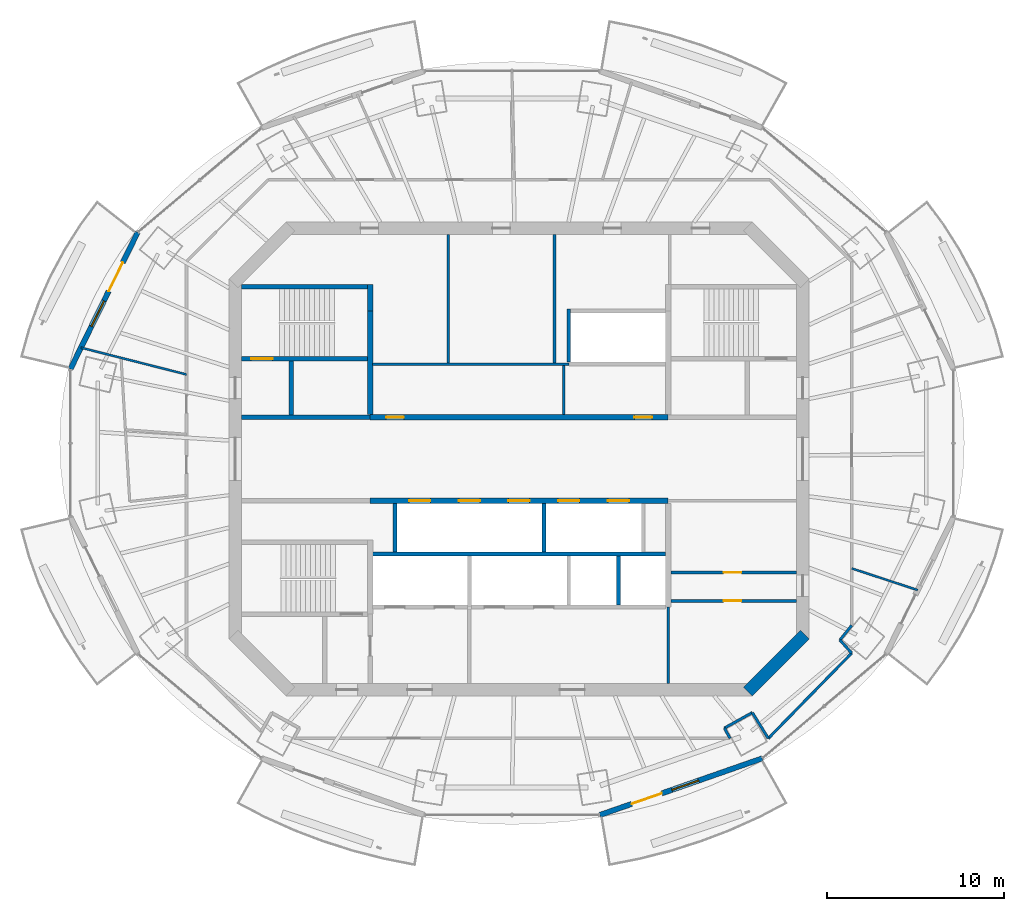
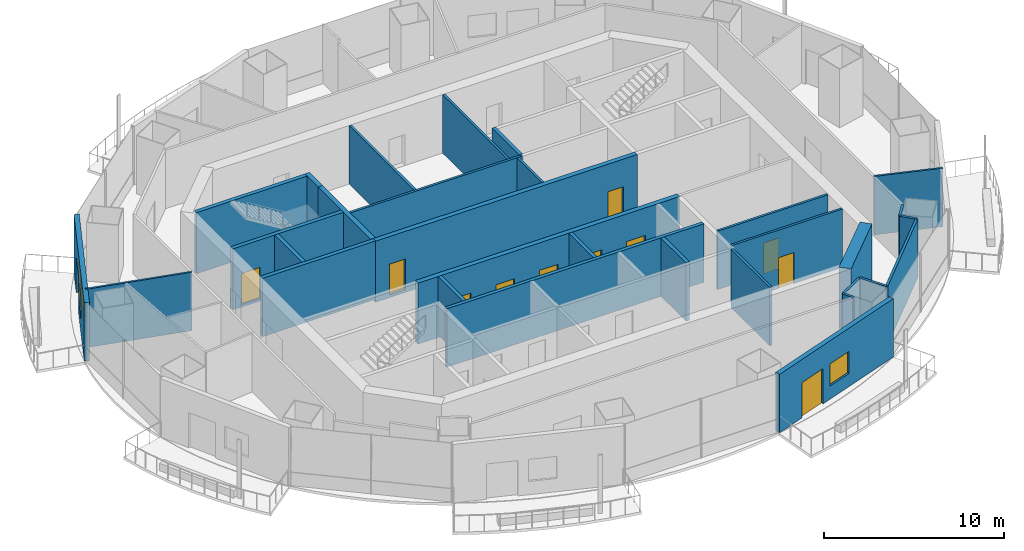
# One storey, part 9 of 15: 31 walls, 12 doors, 2 windows, 14 openings.
"""IFC4 building model written with IfcOpenShell, lengths in metres."""

import ifcopenshell
import ifcopenshell.guid

model = None  # the IFC model being written
_history = None  # IfcOwnerHistory: only IFC2X3 demands one
_inside = {}  # id of a spatial element -> (the spatial element, [elements in it])
_under = {}  # id of a project, library or spatial element -> (it, [spatial elements below it])
_declared = {}  # id of a project -> (the project, [libraries it declares])
_typed = {}  # id of a type object -> (the type object, [elements of that type])
_made_of = {}  # id of a material, layer set ... -> (it, [elements and type objects made of it])


def new_model(schema):
    """Start an empty IFC model of exactly this schema.

    Asked for "IFC4X3", IfcOpenShell would pick the latest addendum, in which some entities
    have other attributes; the version numbers below select the first issue.
    IFC2X3 requires an IfcOwnerHistory on every rooted entity: one is made here for all.
    """
    global model, _history
    if schema == "IFC4X3":
        model = ifcopenshell.file(schema_version=(4, 3, 0, 0))
    else:
        model = ifcopenshell.file(schema=schema)
    _inside.clear()
    _under.clear()
    _declared.clear()
    _typed.clear()
    _made_of.clear()
    _history = None
    if model.schema == "IFC2X3":
        org = make("IfcOrganization", Name="unknown")
        user = make(
            "IfcPersonAndOrganization",
            ThePerson=make("IfcPerson", FamilyName="unknown"),
            TheOrganization=org,
        )
        app = make(
            "IfcApplication",
            ApplicationDeveloper=org,
            Version="unknown",
            ApplicationFullName="unknown",
            ApplicationIdentifier="unknown",
        )
        _history = make(
            "IfcOwnerHistory",
            OwningUser=user,
            OwningApplication=app,
            ChangeAction="ADDED",
            CreationDate=0,
        )
    return model


def make(cls, **values):
    """One entity of the class cls with the attributes given. An attribute that is None is left unset."""
    return model.create_entity(
        cls, **{name: value for name, value in values.items() if value is not None}
    )


def rooted(cls, **values):
    """An entity with a GlobalId (a new one), such as an element, a storey or a relation."""
    return make(cls, GlobalId=ifcopenshell.guid.new(), OwnerHistory=_history, **values)


def si_unit(unit_type, name, prefix=None):
    """IfcSIUnit, for example si_unit("LENGTHUNIT", "METRE", prefix="MILLI")."""
    return make("IfcSIUnit", UnitType=unit_type, Prefix=prefix, Name=name)


def assignment(units):
    """IfcUnitAssignment: the units of a project."""
    return None if units is None else make("IfcUnitAssignment", Units=units)


def point(xyz):
    """IfcCartesianPoint."""
    return None if xyz is None else make("IfcCartesianPoint", Coordinates=xyz)


def direction(xyz):
    """IfcDirection."""
    return None if xyz is None else make("IfcDirection", DirectionRatios=xyz)


def frame(location, z_axis=None, x_axis=None):
    """IfcAxis2Placement3D, a coordinate frame: its origin and axes. An axis left out is left unset."""
    return make(
        "IfcAxis2Placement3D",
        Location=point(location),
        Axis=direction(z_axis),
        RefDirection=direction(x_axis),
    )


def frame_2d(location, x_axis=None):
    """IfcAxis2Placement2D, a coordinate frame in the plane: its origin and x axis."""
    return make(
        "IfcAxis2Placement2D", Location=point(location), RefDirection=direction(x_axis)
    )


def origin():
    """The frame at (0, 0, 0) with its axes left unset."""
    return frame((0.0, 0.0, 0.0))


def place(relative_to, where):
    """IfcLocalPlacement: puts the frame where relative to a parent placement (None: the world)."""
    return make(
        "IfcLocalPlacement", PlacementRelTo=relative_to, RelativePlacement=where
    )


def context(
    kind, dimensions, precision=None, world=None, true_north=None, identifier=None
):
    """IfcGeometricRepresentationContext, for example the 3D "Model" context."""
    return make(
        "IfcGeometricRepresentationContext",
        ContextIdentifier=identifier,
        ContextType=kind,
        CoordinateSpaceDimension=dimensions,
        Precision=precision,
        WorldCoordinateSystem=world,
        TrueNorth=true_north,
    )


def subcontext(parent, identifier, kind, view, scale=None):
    """IfcGeometricRepresentationSubContext, for example "Body" below "Model"."""
    return make(
        "IfcGeometricRepresentationSubContext",
        ContextIdentifier=identifier,
        ContextType=kind,
        ParentContext=parent,
        TargetScale=scale,
        TargetView=view,
    )


def project(units=None, contexts=None):
    """IfcProject with its units and contexts."""
    return rooted(
        "IfcProject",
        Name="project",
        RepresentationContexts=contexts,
        UnitsInContext=assignment(units),
    )


def spatial(cls, under=None, at=None, **own):
    """A site, building, storey or space (cls), placed at a placement, below another one or the project."""
    s = rooted(cls, ObjectPlacement=at, **own)
    if under is not None:
        _under.setdefault(under.id(), (under, []))[1].append(s)
    return s


def profile(cls, at=None, kind="AREA", **sizes):
    """A parametric profile (cls). Its sizes go by their IFC names, for example OverallWidth=200.0."""
    return make(cls, ProfileType=kind, Position=at, **sizes)


def rectangle(**sizes):
    """IfcRectangleProfileDef."""
    return profile("IfcRectangleProfileDef", **sizes)


def extrude(swept, where, along, depth):
    """IfcExtrudedAreaSolid: the profile swept, set in the frame where, extruded along a direction by depth."""
    return make(
        "IfcExtrudedAreaSolid",
        SweptArea=swept,
        Position=where,
        ExtrudedDirection=direction(along),
        Depth=depth,
    )


def shape(context_of_items, identifier, shape_type, items):
    """IfcShapeRepresentation: the items that make up one representation, for example the "Body"."""
    return make(
        "IfcShapeRepresentation",
        ContextOfItems=context_of_items,
        RepresentationIdentifier=identifier,
        RepresentationType=shape_type,
        Items=items,
    )


def material(Name=None, Category=None):
    """IfcMaterial."""
    return make("IfcMaterial", Name=Name, Category=Category)


def layer(
    of_material, thickness, ventilated=None, Name=None, Category=None, Priority=None
):
    """IfcMaterialLayer: one layer of a wall or slab, of a material (None: an air gap)."""
    return make(
        "IfcMaterialLayer",
        Material=of_material,
        LayerThickness=thickness,
        IsVentilated=ventilated,
        Name=Name,
        Category=Category,
        Priority=Priority,
    )


def layer_set(layers, Name=None):
    """IfcMaterialLayerSet."""
    return make("IfcMaterialLayerSet", MaterialLayers=layers, LayerSetName=Name)


def made_of(thing, what):
    """Note that an element or type object is made of a material, layer set ...; save() writes the relation."""
    if what is not None:
        _made_of.setdefault(what.id(), (what, []))[1].append(thing)
    return thing


def type_object(cls, material=None, **own):
    """A type object (cls), such as IfcWallType, which elements share."""
    return made_of(rooted(cls, **own), material)


def element(
    cls,
    number,
    at=None,
    inside=None,
    cuts=None,
    type_object=None,
    material=None,
    context=None,
    identifier="Body",
    shape_type=None,
    held_by="IfcProductDefinitionShape",
    body=None,
    shapes=None,
    **own,
):
    """One element of the class cls, such as IfcWall. Its Tag is "e" and its number.

    at: its placement. inside: the storey or other place that contains it. cuts: it is an
    opening in that element (IfcRelVoidsElement). A single representation is given by context,
    identifier, shape_type and body (its items); several are given by shapes. held_by: the class
    of the entity that holds the representations. save() writes the other relations.
    """
    e = rooted(cls, Tag="e%d" % number, ObjectPlacement=at, **own)
    if body is not None:
        shapes = [shape(context, identifier, shape_type, body)]
    if shapes is not None:
        e.Representation = make(held_by, Representations=shapes)
    if inside is not None:
        _inside.setdefault(inside.id(), (inside, []))[1].append(e)
    if cuts is not None:
        rooted(
            "IfcRelVoidsElement", RelatingBuildingElement=cuts, RelatedOpeningElement=e
        )
    if type_object is not None:
        _typed.setdefault(type_object.id(), (type_object, []))[1].append(e)
    return made_of(e, material)


def fill(opening, filler):
    """IfcRelFillsElement: the door or window that sits in an opening."""
    return rooted(
        "IfcRelFillsElement",
        RelatingOpeningElement=opening,
        RelatedBuildingElement=filler,
    )


def aggregate(whole, parts):
    """IfcRelAggregates: a whole, such as a stair, and the parts it consists of."""
    return rooted("IfcRelAggregates", RelatingObject=whole, RelatedObjects=parts)


def save(model, path):
    """Write the relations noted so far, then the file.

    IfcRelAggregates (storeys below a building ...), IfcRelContainedInSpatialStructure (elements
    in a storey), IfcRelDefinesByType, IfcRelAssociatesMaterial and IfcRelDeclares: one each for
    every whole, place, type object, material and project.
    """
    for whole, parts in _under.values():
        aggregate(whole, parts)
    for where, things in _inside.values():
        rooted(
            "IfcRelContainedInSpatialStructure",
            RelatedElements=things,
            RelatingStructure=where,
        )
    for kind, things in _typed.values():
        rooted("IfcRelDefinesByType", RelatedObjects=things, RelatingType=kind)
    for what, things in _made_of.values():
        rooted("IfcRelAssociatesMaterial", RelatedObjects=things, RelatingMaterial=what)
    for by, libraries in _declared.values():
        rooted("IfcRelDeclares", RelatingContext=by, RelatedDefinitions=libraries)
    model.write(path)


model = new_model("IFC4")

# Units and contexts
model_context = context("Model", 3, precision=1e-05, world=origin(), true_north=direction((0.0, 1.0)))
body_context = subcontext(model_context, "Body", "Model", "MODEL_VIEW")
ifc_project = project(units=[si_unit("LENGTHUNIT", "METRE"), si_unit("AREAUNIT", "SQUARE_METRE"), si_unit("VOLUMEUNIT", "CUBIC_METRE"), si_unit("PLANEANGLEUNIT", "RADIAN"), si_unit("MASSUNIT", "GRAM", prefix="KILO")], contexts=[model_context])

# Site, building, storey
site_placement = place(None, origin())
site = spatial("IfcSite", under=ifc_project, at=site_placement, CompositionType="ELEMENT")
building_placement = place(site_placement, origin())
building = spatial("IfcBuilding", under=site, at=building_placement, Name="Marenthal Gate Tower", CompositionType="ELEMENT")
storey_placement = place(building_placement, frame((0.0, 0.0, 384.10009765625)))
storey = spatial("IfcBuildingStorey", under=building, at=storey_placement, Name="L87", CompositionType="ELEMENT", Elevation=384.10009765625)

# Wall
ifc_material_1 = material(Name="Concrete 60 MPa", Category="concrete")
ifc_layer_1 = layer(ifc_material_1, 0.699951171875)
ifc_layer_set_1 = layer_set([ifc_layer_1], Name="Core shear wall 700")
wall_type_1 = type_object("IfcWallType", Name="Core shear wall 700", PredefinedType="SHEAR", material=ifc_layer_set_1)
wall_1_placement = place(storey_placement, frame((12.8974609375, -13.1025390625, -0.18017578125), z_axis=(0.0, 0.0, 1.0), x_axis=(0.707106781187, 0.707106781187, 0.0)))
element("IfcWall", 1, at=wall_1_placement, inside=storey, type_object=wall_type_1, Name="Core wall 01", PredefinedType="SHEAR", context=body_context, shape_type="SweptSolid", body=[
    extrude(rectangle(XDim=4.53271484375, YDim=0.699951171875, at=frame_2d((2.266357421875, 0.0))), origin(), (0.0, 0.0, 1.0), 4.150146484375),
])

# Wall, openings, doors
ifc_material_2 = material(Name="Concrete 50 MPa", Category="concrete")
ifc_layer_2 = layer(ifc_material_2, 0.300048828125)
ifc_layer_set_2 = layer_set([ifc_layer_2], Name="Hoistway shear wall 300")
wall_type_2 = type_object("IfcWallType", Name="Hoistway shear wall 300", PredefinedType="SHEAR", material=ifc_layer_set_2)
wall_2_placement = place(storey_placement, frame((-8.39990234375, -2.35009765625, -0.18017578125), z_axis=(0.0, 0.0, 1.0), x_axis=(1.0, 0.0, 0.0)))
wall_2 = element("IfcWall", 2, at=wall_2_placement, inside=storey, type_object=wall_type_2, Name="Hoistway wall 17", PredefinedType="SHEAR", context=body_context, shape_type="SweptSolid", body=[
    extrude(rectangle(XDim=16.7998046875, YDim=0.300048828125, at=frame_2d((8.39990234375, 0.0))), origin(), (0.0, 0.0, 1.0), 4.150146484375),
])
opening_1_placement = place(wall_2_placement, frame((2.199951171875, 0.0, 0.179931640625)))
opening_1 = element("IfcOpeningElement", 3, at=opening_1_placement, cuts=wall_2, Name="Opening LD-HP1", PredefinedType="OPENING", context=body_context, shape_type="SweptSolid", body=[
    extrude(rectangle(XDim=1.199951171875, YDim=2.10009765625, at=frame_2d((0.60009765625, 1.050048828125))), frame((0.0, 0.16015625, 0.0), z_axis=(0.0, -1.0, 0.0), x_axis=(1.0, 0.0, 0.0)), (0.0, 0.0, 1.0), 0.320068359375),
])
opening_2_placement = place(wall_2_placement, frame((5.0, 0.0, 0.179931640625)))
opening_2 = element("IfcOpeningElement", 4, at=opening_2_placement, cuts=wall_2, Name="Opening LD-HP2", PredefinedType="OPENING", context=body_context, shape_type="SweptSolid", body=[
    extrude(rectangle(XDim=1.199951171875, YDim=2.10009765625, at=frame_2d((0.60009765625, 1.050048828125))), frame((0.0, 0.16015625, 0.0), z_axis=(0.0, -1.0, 0.0), x_axis=(1.0, 0.0, 0.0)), (0.0, 0.0, 1.0), 0.320068359375),
])
opening_3_placement = place(wall_2_placement, frame((7.800048828125, 0.0, 0.179931640625)))
opening_3 = element("IfcOpeningElement", 5, at=opening_3_placement, cuts=wall_2, Name="Opening LD-HP3", PredefinedType="OPENING", context=body_context, shape_type="SweptSolid", body=[
    extrude(rectangle(XDim=1.199951171875, YDim=2.10009765625, at=frame_2d((0.60009765625, 1.050048828125))), frame((0.0, 0.16015625, 0.0), z_axis=(0.0, -1.0, 0.0), x_axis=(1.0, 0.0, 0.0)), (0.0, 0.0, 1.0), 0.320068359375),
])
opening_4_placement = place(wall_2_placement, frame((10.60009765625, 0.0, 0.179931640625)))
opening_4 = element("IfcOpeningElement", 6, at=opening_4_placement, cuts=wall_2, Name="Opening LD-HP4", PredefinedType="OPENING", context=body_context, shape_type="SweptSolid", body=[
    extrude(rectangle(XDim=1.199951171875, YDim=2.10009765625, at=frame_2d((0.60009765625, 1.050048828125))), frame((0.0, 0.16015625, 0.0), z_axis=(0.0, -1.0, 0.0), x_axis=(1.0, 0.0, 0.0)), (0.0, 0.0, 1.0), 0.320068359375),
])
opening_5_placement = place(wall_2_placement, frame((13.39990234375, 0.0, 0.179931640625)))
opening_5 = element("IfcOpeningElement", 7, at=opening_5_placement, cuts=wall_2, Name="Opening LD-HP5", PredefinedType="OPENING", context=body_context, shape_type="SweptSolid", body=[
    extrude(rectangle(XDim=1.199951171875, YDim=2.10009765625, at=frame_2d((0.60009765625, 1.050048828125))), frame((0.0, 0.16015625, 0.0), z_axis=(0.0, -1.0, 0.0), x_axis=(1.0, 0.0, 0.0)), (0.0, 0.0, 1.0), 0.320068359375),
])
ifc_material_3 = material(Name="Stainless steel sliding door", Category="steel")
door_type_1 = type_object("IfcDoorType", Name="Lift landing door FD 90 1200 x 2100", OperationType="DOUBLE_DOOR_SLIDING", PredefinedType="DOOR", material=ifc_material_3)
door_1_placement = place(opening_1_placement, origin())
door_1 = element("IfcDoor", 8, at=door_1_placement, inside=storey, type_object=door_type_1, Name="Lift landing door HP1", OperationType="DOUBLE_DOOR_SLIDING", OverallHeight=2.10009765625, OverallWidth=1.199951171875, PredefinedType="DOOR", context=body_context, shape_type="SweptSolid", body=[
    extrude(rectangle(XDim=1.199951171875, YDim=2.10009765625, at=frame_2d((0.60009765625, 1.050048828125))), frame((0.0, 0.02490234375, 0.0), z_axis=(0.0, -1.0, 0.0), x_axis=(1.0, 0.0, 0.0)), (0.0, 0.0, 1.0), 0.050048828125),
])
fill(opening_1, door_1)
door_2_placement = place(opening_2_placement, origin())
door_2 = element("IfcDoor", 9, at=door_2_placement, inside=storey, type_object=door_type_1, Name="Lift landing door HP2", OperationType="DOUBLE_DOOR_SLIDING", OverallHeight=2.10009765625, OverallWidth=1.199951171875, PredefinedType="DOOR", context=body_context, shape_type="SweptSolid", body=[
    extrude(rectangle(XDim=1.199951171875, YDim=2.10009765625, at=frame_2d((0.60009765625, 1.050048828125))), frame((0.0, 0.02490234375, 0.0), z_axis=(0.0, -1.0, 0.0), x_axis=(1.0, 0.0, 0.0)), (0.0, 0.0, 1.0), 0.050048828125),
])
fill(opening_2, door_2)
door_3_placement = place(opening_3_placement, origin())
door_3 = element("IfcDoor", 10, at=door_3_placement, inside=storey, type_object=door_type_1, Name="Lift landing door HP3", OperationType="DOUBLE_DOOR_SLIDING", OverallHeight=2.10009765625, OverallWidth=1.199951171875, PredefinedType="DOOR", context=body_context, shape_type="SweptSolid", body=[
    extrude(rectangle(XDim=1.199951171875, YDim=2.10009765625, at=frame_2d((0.60009765625, 1.050048828125))), frame((0.0, 0.02490234375, 0.0), z_axis=(0.0, -1.0, 0.0), x_axis=(1.0, 0.0, 0.0)), (0.0, 0.0, 1.0), 0.050048828125),
])
fill(opening_3, door_3)
door_4_placement = place(opening_4_placement, origin())
door_4 = element("IfcDoor", 11, at=door_4_placement, inside=storey, type_object=door_type_1, Name="Lift landing door HP4", OperationType="DOUBLE_DOOR_SLIDING", OverallHeight=2.10009765625, OverallWidth=1.199951171875, PredefinedType="DOOR", context=body_context, shape_type="SweptSolid", body=[
    extrude(rectangle(XDim=1.199951171875, YDim=2.10009765625, at=frame_2d((0.60009765625, 1.050048828125))), frame((0.0, 0.02490234375, 0.0), z_axis=(0.0, -1.0, 0.0), x_axis=(1.0, 0.0, 0.0)), (0.0, 0.0, 1.0), 0.050048828125),
])
fill(opening_4, door_4)
door_5_placement = place(opening_5_placement, origin())
door_5 = element("IfcDoor", 12, at=door_5_placement, inside=storey, type_object=door_type_1, Name="Lift landing door HP5", OperationType="DOUBLE_DOOR_SLIDING", OverallHeight=2.10009765625, OverallWidth=1.199951171875, PredefinedType="DOOR", context=body_context, shape_type="SweptSolid", body=[
    extrude(rectangle(XDim=1.199951171875, YDim=2.10009765625, at=frame_2d((0.60009765625, 1.050048828125))), frame((0.0, 0.02490234375, 0.0), z_axis=(0.0, -1.0, 0.0), x_axis=(1.0, 0.0, 0.0)), (0.0, 0.0, 1.0), 0.050048828125),
])
fill(opening_5, door_5)

wall_3_placement = place(storey_placement, frame((-8.39990234375, 2.35009765625, -0.18017578125), z_axis=(0.0, 0.0, 1.0), x_axis=(1.0, 0.0, 0.0)))
wall_3 = element("IfcWall", 13, at=wall_3_placement, inside=storey, type_object=wall_type_2, Name="Hoistway wall 20", PredefinedType="SHEAR", context=body_context, shape_type="SweptSolid", body=[
    extrude(rectangle(XDim=16.7998046875, YDim=0.300048828125, at=frame_2d((8.39990234375, 0.0))), origin(), (0.0, 0.0, 1.0), 4.150146484375),
])
opening_6_placement = place(wall_3_placement, frame((0.89990234375, 0.0, 0.179931640625)))
opening_6 = element("IfcOpeningElement", 14, at=opening_6_placement, cuts=wall_3, Name="Opening D005.01", PredefinedType="OPENING", context=body_context, shape_type="SweptSolid", body=[
    extrude(rectangle(XDim=1.0, YDim=2.10009765625, at=frame_2d((0.5, 1.050048828125))), frame((0.0, 0.16015625, 0.0), z_axis=(0.0, -1.0, 0.0), x_axis=(1.0, 0.0, 0.0)), (0.0, 0.0, 1.0), 0.320068359375),
])
opening_7_placement = place(wall_3_placement, frame((14.89990234375, 0.0, 0.179931640625)))
opening_7 = element("IfcOpeningElement", 15, at=opening_7_placement, cuts=wall_3, Name="Opening D005.02", PredefinedType="OPENING", context=body_context, shape_type="SweptSolid", body=[
    extrude(rectangle(XDim=1.0, YDim=2.10009765625, at=frame_2d((0.5, 1.050048828125))), frame((0.0, 0.16015625, 0.0), z_axis=(0.0, -1.0, 0.0), x_axis=(1.0, 0.0, 0.0)), (0.0, 0.0, 1.0), 0.320068359375),
])
ifc_material_4 = material(Name="Steel fire door", Category="steel")
door_type_2 = type_object("IfcDoorType", Name="Fire door FD 45 1000 x 2100", OperationType="NOTDEFINED", PredefinedType="DOOR", material=ifc_material_4)
door_6_placement = place(opening_6_placement, origin())
door_6 = element("IfcDoor", 16, at=door_6_placement, inside=storey, type_object=door_type_2, Name="Door D005.01", OperationType="SINGLE_SWING_RIGHT", OverallHeight=2.10009765625, OverallWidth=1.0, PredefinedType="DOOR", context=body_context, shape_type="SweptSolid", body=[
    extrude(rectangle(XDim=1.0, YDim=2.10009765625, at=frame_2d((0.5, 1.050048828125))), frame((0.0, 0.02490234375, 0.0), z_axis=(0.0, -1.0, 0.0), x_axis=(1.0, 0.0, 0.0)), (0.0, 0.0, 1.0), 0.050048828125),
])
fill(opening_6, door_6)
door_7_placement = place(opening_7_placement, origin())
door_7 = element("IfcDoor", 17, at=door_7_placement, inside=storey, type_object=door_type_2, Name="Door D005.02", OperationType="SINGLE_SWING_RIGHT", OverallHeight=2.10009765625, OverallWidth=1.0, PredefinedType="DOOR", context=body_context, shape_type="SweptSolid", body=[
    extrude(rectangle(XDim=1.0, YDim=2.10009765625, at=frame_2d((0.5, 1.050048828125))), frame((0.0, 0.02490234375, 0.0), z_axis=(0.0, -1.0, 0.0), x_axis=(1.0, 0.0, 0.0)), (0.0, 0.0, 1.0), 0.050048828125),
])
fill(opening_7, door_7)

# Walls
wall_4_placement = place(storey_placement, frame((-8.39990234375, 2.5, -0.18017578125), z_axis=(0.0, 0.0, 1.0), x_axis=(0.0, 1.0, 0.0)))
element("IfcWall", 18, at=wall_4_placement, inside=storey, type_object=wall_type_2, Name="Hoistway wall 33", PredefinedType="SHEAR", context=body_context, shape_type="SweptSolid", body=[
    extrude(rectangle(XDim=5.85009765625, YDim=0.300048828125, at=frame_2d((2.925048828125, 0.0))), origin(), (0.0, 0.0, 1.0), 4.150146484375),
])
ifc_material_5 = material(Name="Concrete 40 MPa", Category="concrete")
ifc_layer_3 = layer(ifc_material_5, 0.219970703125)
ifc_layer_set_3 = layer_set([ifc_layer_3], Name="Hoistway wall 220")
wall_type_3 = type_object("IfcWallType", Name="Hoistway wall 220", PredefinedType="STANDARD", material=ifc_layer_set_3)
wall_5_placement = place(storey_placement, frame((-8.25, -5.35009765625, 0.0), z_axis=(0.0, 0.0, 1.0), x_axis=(1.0, 0.0, 0.0)))
element("IfcWall", 19, at=wall_5_placement, inside=storey, type_object=wall_type_3, Name="Hoistway wall 14", PredefinedType="STANDARD", context=body_context, shape_type="SweptSolid", body=[
    extrude(rectangle(XDim=16.5, YDim=0.219970703125, at=frame_2d((8.25, 0.0))), origin(), (0.0, 0.0, 1.0), 3.969970703125),
])
for number, where, z_axis, x_axis, name in (
    (20, (-7.0, -5.239990234375, 0.0), (0.0, 0.0, 1.0), (0.0, 1.0, 0.0), "Hoistway wall 35"),
    (21, (1.39990234375, -5.239990234375, 0.0), (0.0, 0.0, 1.0), (0.0, 1.0, 0.0), "Hoistway wall 39"),
):
    element("IfcWall", number, at=place(storey_placement, frame(where, z_axis=z_axis, x_axis=x_axis)), inside=storey, type_object=wall_type_3, Name=name, PredefinedType="STANDARD", context=body_context, shape_type="SweptSolid", body=[
        extrude(rectangle(XDim=2.739990234375, YDim=0.219970703125, at=frame_2d((1.3701171875, 0.0))), origin(), (0.0, 0.0, 1.0), 3.969970703125),
    ])
wall_6_placement = place(storey_placement, frame((2.800048828125, 5.4599609375, 0.0), z_axis=(0.0, 0.0, 1.0), x_axis=(0.0, 1.0, 0.0)))
element("IfcWall", 22, at=wall_6_placement, inside=storey, type_object=wall_type_3, Name="Hoistway wall 43", PredefinedType="STANDARD", context=body_context, shape_type="SweptSolid", body=[
    extrude(rectangle(XDim=3.0, YDim=0.219970703125, at=frame_2d((1.5, 0.0))), origin(), (0.0, 0.0, 1.0), 3.969970703125),
])
wall_7_placement = place(storey_placement, frame((5.60009765625, -8.239990234375, 0.0), z_axis=(0.0, 0.0, 1.0), x_axis=(0.0, 1.0, 0.0)))
element("IfcWall", 23, at=wall_7_placement, inside=storey, type_object=wall_type_3, Name="Hoistway wall 44", PredefinedType="STANDARD", context=body_context, shape_type="SweptSolid", body=[
    extrude(rectangle(XDim=2.780029296875, YDim=0.219970703125, at=frame_2d((1.39013671875, 0.0))), origin(), (0.0, 0.0, 1.0), 3.969970703125),
])
ifc_material_6 = material(Name="Gypsum board on steel studs", Category="steel")
ifc_layer_4 = layer(ifc_material_6, 0.1201171875)
ifc_layer_set_4 = layer_set([ifc_layer_4], Name="Partition 120")
wall_type_4 = type_object("IfcWallType", Name="Partition 120", PredefinedType="PARTITIONING", material=ifc_layer_set_4)
wall_8_placement = place(storey_placement, frame((-18.75, 4.765380859375, 0.0), z_axis=(0.0, 0.0, 1.0), x_axis=(-0.969189937919, 0.246314563589, 0.0)))
element("IfcWall", 24, at=wall_8_placement, inside=storey, type_object=wall_type_4, Name="Partition wall 56", PredefinedType="PARTITIONING", context=body_context, shape_type="SweptSolid", body=[
    extrude(rectangle(XDim=6.138427734375, YDim=0.1201171875, at=frame_2d((3.0693359375, 0.0))), origin(), (0.0, 0.0, 1.0), 3.969970703125),
])
wall_9_placement = place(storey_placement, frame((18.75, -6.166015625, 0.0), z_axis=(0.0, 0.0, 1.0), x_axis=(0.949948202416, -0.312407446657, 0.0)))
element("IfcWall", 25, at=wall_9_placement, inside=storey, type_object=wall_type_4, Name="Partition wall 75", PredefinedType="PARTITIONING", context=body_context, shape_type="SweptSolid", body=[
    extrude(rectangle(XDim=3.91357421875, YDim=0.1201171875, at=frame_2d((1.956787109375, 0.0))), origin(), (0.0, 0.0, 1.0), 3.969970703125),
])

# Wall, opening, door
ifc_material_7 = material(Name="Gypsum board on steel studs", Category="steel")
ifc_layer_5 = layer(ifc_material_7, 0.14990234375)
ifc_layer_set_5 = layer_set([ifc_layer_5], Name="Partition 150")
wall_type_5 = type_object("IfcWallType", Name="Partition 150", PredefinedType="PARTITIONING", material=ifc_layer_set_5)
wall_10_placement = place(storey_placement, frame((8.550048828125, -8.0, 0.0), z_axis=(0.0, 0.0, 1.0), x_axis=(1.0, 0.0, 0.0)))
wall_10 = element("IfcWall", 26, at=wall_10_placement, inside=storey, type_object=wall_type_5, Name="Partition wall 12", PredefinedType="PARTITIONING", context=body_context, shape_type="SweptSolid", body=[
    extrude(rectangle(XDim=7.099853515625, YDim=0.14990234375, at=frame_2d((3.5498046875, 0.0))), origin(), (0.0, 0.0, 1.0), 3.969970703125),
])
opening_8_placement = place(wall_10_placement, frame((2.97509765625, 0.0, 0.0)))
opening_8 = element("IfcOpeningElement", 27, at=opening_8_placement, cuts=wall_10, Name="Opening D005.08", PredefinedType="OPENING", context=body_context, shape_type="SweptSolid", body=[
    extrude(rectangle(XDim=1.0, YDim=2.10009765625, at=frame_2d((0.5, 1.050048828125))), frame((0.0, 0.0849609375, 0.0), z_axis=(0.0, -1.0, 0.0), x_axis=(1.0, 0.0, 0.0)), (0.0, 0.0, 1.0), 0.169921875),
])
door_8_placement = place(opening_8_placement, frame((1.0, 0.0, 0.0), z_axis=(0.0, 0.0, 1.0), x_axis=(-1.0, 0.0, 0.0)))
door_8 = element("IfcDoor", 28, at=door_8_placement, inside=storey, type_object=door_type_2, Name="Door D005.08", OperationType="SINGLE_SWING_LEFT", OverallHeight=2.10009765625, OverallWidth=1.0, PredefinedType="DOOR", context=body_context, shape_type="SweptSolid", body=[
    extrude(rectangle(XDim=1.0, YDim=2.10009765625, at=frame_2d((0.5, 1.050048828125))), frame((0.0, 0.02490234375, 0.0), z_axis=(0.0, -1.0, 0.0), x_axis=(1.0, 0.0, 0.0)), (0.0, 0.0, 1.0), 0.050048828125),
])
fill(opening_8, door_8)

wall_11_placement = place(storey_placement, frame((8.550048828125, -6.39990234375, 0.0), z_axis=(0.0, 0.0, 1.0), x_axis=(1.0, 0.0, 0.0)))
wall_11 = element("IfcWall", 29, at=wall_11_placement, inside=storey, type_object=wall_type_5, Name="Partition wall 13", PredefinedType="PARTITIONING", context=body_context, shape_type="SweptSolid", body=[
    extrude(rectangle(XDim=7.099853515625, YDim=0.14990234375, at=frame_2d((3.5498046875, 0.0))), origin(), (0.0, 0.0, 1.0), 3.969970703125),
])
opening_9_placement = place(wall_11_placement, frame((2.97509765625, 0.0, 0.0)))
opening_9 = element("IfcOpeningElement", 30, at=opening_9_placement, cuts=wall_11, Name="Opening D005.07", PredefinedType="OPENING", context=body_context, shape_type="SweptSolid", body=[
    extrude(rectangle(XDim=1.0, YDim=2.10009765625, at=frame_2d((0.5, 1.050048828125))), frame((0.0, 0.0849609375, 0.0), z_axis=(0.0, -1.0, 0.0), x_axis=(1.0, 0.0, 0.0)), (0.0, 0.0, 1.0), 0.169921875),
])
door_9_placement = place(opening_9_placement, origin())
door_9 = element("IfcDoor", 31, at=door_9_placement, inside=storey, type_object=door_type_2, Name="Door D005.07", OperationType="SINGLE_SWING_RIGHT", OverallHeight=2.10009765625, OverallWidth=1.0, PredefinedType="DOOR", context=body_context, shape_type="SweptSolid", body=[
    extrude(rectangle(XDim=1.0, YDim=2.10009765625, at=frame_2d((0.5, 1.050048828125))), frame((0.0, 0.02490234375, 0.0), z_axis=(0.0, -1.0, 0.0), x_axis=(1.0, 0.0, 0.0)), (0.0, 0.0, 1.0), 0.050048828125),
])
fill(opening_9, door_9)

# Walls
wall_12_placement = place(storey_placement, frame((-8.25, 5.35009765625, 0.0), z_axis=(0.0, 0.0, 1.0), x_axis=(1.0, 0.0, 0.0)))
element("IfcWall", 32, at=wall_12_placement, inside=storey, type_object=wall_type_5, Name="Partition wall 22", PredefinedType="PARTITIONING", context=body_context, shape_type="SweptSolid", body=[
    extrude(rectangle(XDim=11.050048828125, YDim=0.14990234375, at=frame_2d((5.52490234375, 0.0))), origin(), (0.0, 0.0, 1.0), 3.969970703125),
])
for number, where, z_axis, x_axis, name in (
    (33, (-4.0, 5.425048828125, 0.0), (0.0, 0.0, 1.0), (0.0, 1.0, 0.0), "Partition wall 36"),
    (34, (2.0, 5.425048828125, 0.0), (0.0, 0.0, 1.0), (0.0, 1.0, 0.0), "Partition wall 40"),
):
    element("IfcWall", number, at=place(storey_placement, frame(where, z_axis=z_axis, x_axis=x_axis)), inside=storey, type_object=wall_type_5, Name=name, PredefinedType="PARTITIONING", context=body_context, shape_type="SweptSolid", body=[
        extrude(rectangle(XDim=7.224853515625, YDim=0.14990234375, at=frame_2d((3.6123046875, 0.0))), origin(), (0.0, 0.0, 1.0), 3.969970703125),
    ])
wall_13_placement = place(storey_placement, frame((2.52001953125, 2.5, 0.0), z_axis=(0.0, 0.0, 1.0), x_axis=(0.0, 1.0, 0.0)))
element("IfcWall", 35, at=wall_13_placement, inside=storey, type_object=wall_type_5, Name="Partition wall 41", PredefinedType="PARTITIONING", context=body_context, shape_type="SweptSolid", body=[
    extrude(rectangle(XDim=2.77490234375, YDim=0.14990234375, at=frame_2d((1.387451171875, 0.0))), origin(), (0.0, 0.0, 1.0), 3.969970703125),
])
wall_14_placement = place(storey_placement, frame((8.39990234375, -12.64990234375, 0.0), z_axis=(0.0, 0.0, 1.0), x_axis=(0.0, 1.0, 0.0)))
element("IfcWall", 36, at=wall_14_placement, inside=storey, type_object=wall_type_5, Name="Partition wall 46", PredefinedType="PARTITIONING", context=body_context, shape_type="SweptSolid", body=[
    extrude(rectangle(XDim=4.2998046875, YDim=0.14990234375, at=frame_2d((2.14990234375, 0.0))), origin(), (0.0, 0.0, 1.0), 3.969970703125),
])
wall_15_placement = place(storey_placement, frame((11.574462890625, -15.169921875, 0.0), z_axis=(0.0, 0.0, 1.0), x_axis=(0.485642931179, -0.874157276122, 0.0)))
element("IfcWall", 37, at=wall_15_placement, inside=storey, type_object=wall_type_5, Name="Partition wall 67", PredefinedType="PARTITIONING", context=body_context, shape_type="SweptSolid", body=[
    extrude(rectangle(XDim=0.66357421875, YDim=0.14990234375, at=frame_2d((0.331787109375, 0.0))), origin(), (0.0, 0.0, 1.0), 3.969970703125),
])
wall_16_placement = place(storey_placement, frame((13.147705078125, -14.29541015625, 0.0), z_axis=(0.0, 0.0, 1.0), x_axis=(-0.874042088414, -0.485850211157, 0.0)))
element("IfcWall", 38, at=wall_16_placement, inside=storey, type_object=wall_type_5, Name="Partition wall 69", PredefinedType="PARTITIONING", context=body_context, shape_type="SweptSolid", body=[
    extrude(rectangle(XDim=1.800048828125, YDim=0.14990234375, at=frame_2d((0.89990234375, 0.0))), origin(), (0.0, 0.0, 1.0), 3.969970703125),
])
wall_17_placement = place(storey_placement, frame((14.047607421875, -15.75, 0.0), z_axis=(0.0, 0.0, 1.0), x_axis=(-0.526118731738, 0.850411124171, 0.0)))
element("IfcWall", 39, at=wall_17_placement, inside=storey, type_object=wall_type_5, Name="Partition wall 70", PredefinedType="PARTITIONING", context=body_context, shape_type="SweptSolid", body=[
    extrude(rectangle(XDim=1.71044921875, YDim=0.14990234375, at=frame_2d((0.855224609375, 0.0))), origin(), (0.0, 0.0, 1.0), 3.969970703125),
])
wall_18_placement = place(storey_placement, frame((18.084716796875, -10.20703125, 0.0), z_axis=(0.0, 0.0, 1.0), x_axis=(0.671997420102, -0.740553487181, 0.0)))
element("IfcWall", 40, at=wall_18_placement, inside=storey, type_object=wall_type_5, Name="Partition wall 72", PredefinedType="PARTITIONING", context=body_context, shape_type="SweptSolid", body=[
    extrude(rectangle(XDim=0.989990234375, YDim=0.14990234375, at=frame_2d((0.4951171875, 0.0))), origin(), (0.0, 0.0, 1.0), 3.969970703125),
])
wall_19_placement = place(storey_placement, frame((18.75, -10.940185546875, 0.0), z_axis=(0.0, 0.0, 1.0), x_axis=(-0.699076809287, -0.715046582201, 0.0)))
element("IfcWall", 41, at=wall_19_placement, inside=storey, type_object=wall_type_5, Name="Partition wall 73", PredefinedType="PARTITIONING", context=body_context, shape_type="SweptSolid", body=[
    extrude(rectangle(XDim=6.7265625, YDim=0.14990234375, at=frame_2d((3.36328125, 0.0))), origin(), (0.0, 0.0, 1.0), 3.969970703125),
])
wall_20_placement = place(storey_placement, frame((18.75, -9.37890625, 0.0), z_axis=(0.0, 0.0, 1.0), x_axis=(-0.626291350623, -0.779589086721, 0.0)))
element("IfcWall", 42, at=wall_20_placement, inside=storey, type_object=wall_type_5, Name="Partition wall 74", PredefinedType="PARTITIONING", context=body_context, shape_type="SweptSolid", body=[
    extrude(rectangle(XDim=1.062255859375, YDim=0.14990234375, at=frame_2d((0.53125, 0.0))), origin(), (0.0, 0.0, 1.0), 3.969970703125),
])
ifc_material_8 = material(Name="Concrete 40 MPa", Category="concrete")
ifc_layer_6 = layer(ifc_material_8, 0.25)
ifc_layer_set_6 = layer_set([ifc_layer_6], Name="Stair enclosure wall 250")
wall_type_6 = type_object("IfcWallType", Name="Stair enclosure wall 250", PredefinedType="STANDARD", material=ifc_layer_set_6)
wall_21_placement = place(storey_placement, frame((-15.64990234375, 2.35009765625, 0.0), z_axis=(0.0, 0.0, 1.0), x_axis=(1.0, 0.0, 0.0)))
element("IfcWall", 43, at=wall_21_placement, inside=storey, type_object=wall_type_6, Name="Stair wall 19", PredefinedType="STANDARD", context=body_context, shape_type="SweptSolid", body=[
    extrude(rectangle(XDim=7.25, YDim=0.25, at=frame_2d((3.625, 0.0))), origin(), (0.0, 0.0, 1.0), 3.969970703125),
])
wall_22_placement = place(storey_placement, frame((-12.85009765625, 2.47509765625, 0.0), z_axis=(0.0, 0.0, 1.0), x_axis=(0.0, 1.0, 0.0)))
element("IfcWall", 44, at=wall_22_placement, inside=storey, type_object=wall_type_6, Name="Stair wall 29", PredefinedType="STANDARD", context=body_context, shape_type="SweptSolid", body=[
    extrude(rectangle(XDim=3.0498046875, YDim=0.25, at=frame_2d((1.52490234375, 0.0))), origin(), (0.0, 0.0, 1.0), 3.969970703125),
])

# Wall, opening, door
ifc_material_9 = material(Name="Concrete 50 MPa", Category="concrete")
ifc_layer_7 = layer(ifc_material_9, 0.25)
ifc_layer_set_7 = layer_set([ifc_layer_7], Name="Stair shear wall 250")
wall_type_7 = type_object("IfcWallType", Name="Stair shear wall 250", PredefinedType="SHEAR", material=ifc_layer_set_7)
wall_23_placement = place(storey_placement, frame((-15.64990234375, 5.64990234375, -0.18017578125), z_axis=(0.0, 0.0, 1.0), x_axis=(1.0, 0.0, 0.0)))
wall_23 = element("IfcWall", 45, at=wall_23_placement, inside=storey, type_object=wall_type_7, Name="Stair wall 24", PredefinedType="SHEAR", context=body_context, shape_type="SweptSolid", body=[
    extrude(rectangle(XDim=7.099853515625, YDim=0.25, at=frame_2d((3.5498046875, 0.0))), origin(), (0.0, 0.0, 1.0), 4.150146484375),
])
opening_10_placement = place(wall_23_placement, frame((0.550048828125, 0.0, 0.179931640625)))
opening_10 = element("IfcOpeningElement", 46, at=opening_10_placement, cuts=wall_23, Name="Opening D001.01", PredefinedType="OPENING", context=body_context, shape_type="SweptSolid", body=[
    extrude(rectangle(XDim=1.199951171875, YDim=2.10009765625, at=frame_2d((0.60009765625, 1.050048828125))), frame((0.0, 0.135009765625, 0.0), z_axis=(0.0, -1.0, 0.0), x_axis=(1.0, 0.0, 0.0)), (0.0, 0.0, 1.0), 0.27001953125),
])
ifc_material_10 = material(Name="Steel fire door", Category="steel")
door_type_3 = type_object("IfcDoorType", Name="Fire door FD 90 1200 x 2100", OperationType="NOTDEFINED", PredefinedType="DOOR", material=ifc_material_10)
door_10_placement = place(opening_10_placement, origin())
door_10 = element("IfcDoor", 47, at=door_10_placement, inside=storey, type_object=door_type_3, Name="Door D001.01", OperationType="SINGLE_SWING_RIGHT", OverallHeight=2.10009765625, OverallWidth=1.199951171875, PredefinedType="DOOR", context=body_context, shape_type="SweptSolid", body=[
    extrude(rectangle(XDim=1.199951171875, YDim=2.10009765625, at=frame_2d((0.60009765625, 1.050048828125))), frame((0.0, 0.02490234375, 0.0), z_axis=(0.0, -1.0, 0.0), x_axis=(1.0, 0.0, 0.0)), (0.0, 0.0, 1.0), 0.050048828125),
])
fill(opening_10, door_10)

# Walls
wall_24_placement = place(storey_placement, frame((-15.64990234375, 9.699951171875, -0.18017578125), z_axis=(0.0, 0.0, 1.0), x_axis=(1.0, 0.0, 0.0)))
element("IfcWall", 48, at=wall_24_placement, inside=storey, type_object=wall_type_7, Name="Stair wall 27", PredefinedType="SHEAR", context=body_context, shape_type="SweptSolid", body=[
    extrude(rectangle(XDim=7.099853515625, YDim=0.25, at=frame_2d((3.5498046875, 0.0))), origin(), (0.0, 0.0, 1.0), 4.150146484375),
])
ifc_material_11 = material(Name="Concrete 50 MPa", Category="concrete")
ifc_layer_8 = layer(ifc_material_11, 0.300048828125)
ifc_layer_set_8 = layer_set([ifc_layer_8], Name="Stair shear wall 300")
wall_type_8 = type_object("IfcWallType", Name="Stair shear wall 300", PredefinedType="SHEAR", material=ifc_layer_set_8)
wall_25_placement = place(storey_placement, frame((-8.39990234375, 8.35009765625, -0.18017578125), z_axis=(0.0, 0.0, 1.0), x_axis=(0.0, 1.0, 0.0)))
element("IfcWall", 49, at=wall_25_placement, inside=storey, type_object=wall_type_8, Name="Stair wall 34", PredefinedType="SHEAR", context=body_context, shape_type="SweptSolid", body=[
    extrude(rectangle(XDim=1.474853515625, YDim=0.300048828125, at=frame_2d((0.7373046875, 0.0))), origin(), (0.0, 0.0, 1.0), 4.150146484375),
])

# Wall, openings, door, window
ifc_material_12 = material(Name="Terracotta cladding on insulated concrete-block backing", Category="masonry")
ifc_layer_9 = layer(ifc_material_12, 0.300048828125)
ifc_layer_set_9 = layer_set([ifc_layer_9], Name="Terracotta facade wall 300")
wall_type_9 = type_object("IfcWallType", Name="Terracotta facade wall 300", PredefinedType="SOLIDWALL", material=ifc_layer_set_9)
wall_26_placement = place(storey_placement, frame((-21.502685546875, 12.778076171875, 0.0), z_axis=(0.0, 0.0, 1.0), x_axis=(-0.441245353493, -0.897386504256, 0.0)))
wall_26 = element("IfcWall", 50, at=wall_26_placement, inside=storey, type_object=wall_type_9, Name="Terracotta facade wall L87 bay 7", PredefinedType="SOLIDWALL", context=body_context, shape_type="SweptSolid", body=[
    extrude(rectangle(XDim=8.58837890625, YDim=0.300048828125, at=frame_2d((4.294189453125, 0.0))), origin(), (0.0, 0.0, 1.0), 3.969970703125),
])
opening_11_placement = place(wall_26_placement, frame((1.89990234375, 0.0, 0.0)))
opening_11 = element("IfcOpeningElement", 51, at=opening_11_placement, cuts=wall_26, Name="Opening BD-L87-07", PredefinedType="OPENING", context=body_context, shape_type="SweptSolid", body=[
    extrude(rectangle(XDim=1.800048828125, YDim=2.39990234375, at=frame_2d((0.89990234375, 1.199951171875))), frame((0.0, 0.16015625, 0.0), z_axis=(0.0, -1.0, 0.0), x_axis=(1.0, 0.0, 0.0)), (0.0, 0.0, 1.0), 0.320068359375),
])
opening_12_placement = place(wall_26_placement, frame((4.300048828125, 0.0, 0.89990234375)))
opening_12 = element("IfcOpeningElement", 52, at=opening_12_placement, cuts=wall_26, Name="Opening WN3-L87-07", PredefinedType="OPENING", context=body_context, shape_type="SweptSolid", body=[
    extrude(rectangle(XDim=1.60009765625, YDim=1.5, at=frame_2d((0.800048828125, 0.75))), frame((0.0, 0.16015625, 0.0), z_axis=(0.0, -1.0, 0.0), x_axis=(1.0, 0.0, 0.0)), (0.0, 0.0, 1.0), 0.320068359375),
])
ifc_material_13 = material(Name="Aluminium and glass", Category="aluminium")
door_type_4 = type_object("IfcDoorType", Name="Balcony door 1800x2400", OperationType="DOUBLE_DOOR_SINGLE_SWING", PredefinedType="DOOR", material=ifc_material_13)
door_11_placement = place(opening_11_placement, origin())
door_11 = element("IfcDoor", 53, at=door_11_placement, inside=storey, type_object=door_type_4, Name="Balcony door L87 bay 7", OperationType="SINGLE_SWING_LEFT", OverallHeight=2.39990234375, OverallWidth=1.800048828125, PredefinedType="DOOR", context=body_context, shape_type="SweptSolid", body=[
    extrude(rectangle(XDim=1.800048828125, YDim=2.39990234375, at=frame_2d((0.89990234375, 1.199951171875))), frame((0.0, 0.02490234375, 0.0), z_axis=(0.0, -1.0, 0.0), x_axis=(1.0, 0.0, 0.0)), (0.0, 0.0, 1.0), 0.050048828125),
])
fill(opening_11, door_11)
ifc_material_14 = material(Name="Aluminium and glass", Category="aluminium")
window_type = type_object("IfcWindowType", Name="Window 1600x1500", PartitioningType="DOUBLE_PANEL_VERTICAL", PredefinedType="WINDOW", material=ifc_material_14)
window_1_placement = place(opening_12_placement, origin())
window_1 = element("IfcWindow", 54, at=window_1_placement, inside=storey, type_object=window_type, Name="Window L87 bay 7", OverallHeight=1.5, OverallWidth=1.60009765625, PartitioningType="SINGLE_PANEL", PredefinedType="WINDOW", context=body_context, shape_type="SweptSolid", body=[
    extrude(rectangle(XDim=1.60009765625, YDim=1.5, at=frame_2d((0.800048828125, 0.75))), frame((0.0, 0.030029296875, 0.0), z_axis=(0.0, -1.0, 0.0), x_axis=(1.0, 0.0, 0.0)), (0.0, 0.0, 1.0), 0.06005859375),
])
fill(opening_12, window_1)

wall_27_placement = place(storey_placement, frame((4.551513671875, -20.069091796875, 0.0), z_axis=(0.0, 0.0, 1.0), x_axis=(0.944171386598, 0.329454689949, 0.0)))
wall_27 = element("IfcWall", 55, at=wall_27_placement, inside=storey, type_object=wall_type_9, Name="Terracotta facade wall L87 bay 13", PredefinedType="SOLIDWALL", context=body_context, shape_type="SweptSolid", body=[
    extrude(rectangle(XDim=9.68994140625, YDim=0.300048828125, at=frame_2d((4.844970703125, 0.0))), origin(), (0.0, 0.0, 1.0), 3.969970703125),
])
opening_13_placement = place(wall_27_placement, frame((1.89990234375, 0.0, 0.0)))
opening_13 = element("IfcOpeningElement", 56, at=opening_13_placement, cuts=wall_27, Name="Opening BD-L87-13", PredefinedType="OPENING", context=body_context, shape_type="SweptSolid", body=[
    extrude(rectangle(XDim=1.800048828125, YDim=2.39990234375, at=frame_2d((0.89990234375, 1.199951171875))), frame((0.0, 0.16015625, 0.0), z_axis=(0.0, -1.0, 0.0), x_axis=(1.0, 0.0, 0.0)), (0.0, 0.0, 1.0), 0.320068359375),
])
opening_14_placement = place(wall_27_placement, frame((4.300048828125, 0.0, 0.89990234375)))
opening_14 = element("IfcOpeningElement", 57, at=opening_14_placement, cuts=wall_27, Name="Opening WN3-L87-13", PredefinedType="OPENING", context=body_context, shape_type="SweptSolid", body=[
    extrude(rectangle(XDim=1.60009765625, YDim=1.5, at=frame_2d((0.800048828125, 0.75))), frame((0.0, 0.16015625, 0.0), z_axis=(0.0, -1.0, 0.0), x_axis=(1.0, 0.0, 0.0)), (0.0, 0.0, 1.0), 0.320068359375),
])
door_12_placement = place(opening_13_placement, origin())
door_12 = element("IfcDoor", 58, at=door_12_placement, inside=storey, type_object=door_type_4, Name="Balcony door L87 bay 13", OperationType="SINGLE_SWING_LEFT", OverallHeight=2.39990234375, OverallWidth=1.800048828125, PredefinedType="DOOR", context=body_context, shape_type="SweptSolid", body=[
    extrude(rectangle(XDim=1.800048828125, YDim=2.39990234375, at=frame_2d((0.89990234375, 1.199951171875))), frame((0.0, 0.02490234375, 0.0), z_axis=(0.0, -1.0, 0.0), x_axis=(1.0, 0.0, 0.0)), (0.0, 0.0, 1.0), 0.050048828125),
])
fill(opening_13, door_12)
window_2_placement = place(opening_14_placement, origin())
window_2 = element("IfcWindow", 59, at=window_2_placement, inside=storey, type_object=window_type, Name="Window L87 bay 13", OverallHeight=1.5, OverallWidth=1.60009765625, PartitioningType="SINGLE_PANEL", PredefinedType="WINDOW", context=body_context, shape_type="SweptSolid", body=[
    extrude(rectangle(XDim=1.60009765625, YDim=1.5, at=frame_2d((0.800048828125, 0.75))), frame((0.0, 0.030029296875, 0.0), z_axis=(0.0, -1.0, 0.0), x_axis=(1.0, 0.0, 0.0)), (0.0, 0.0, 1.0), 0.06005859375),
])
fill(opening_14, window_2)

save(model, "model.ifc")
